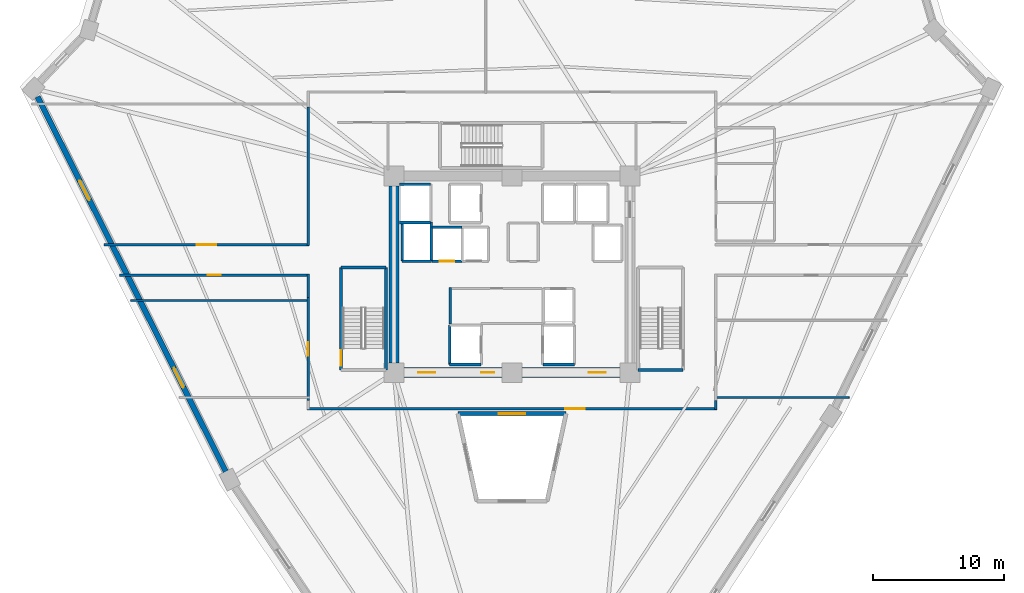
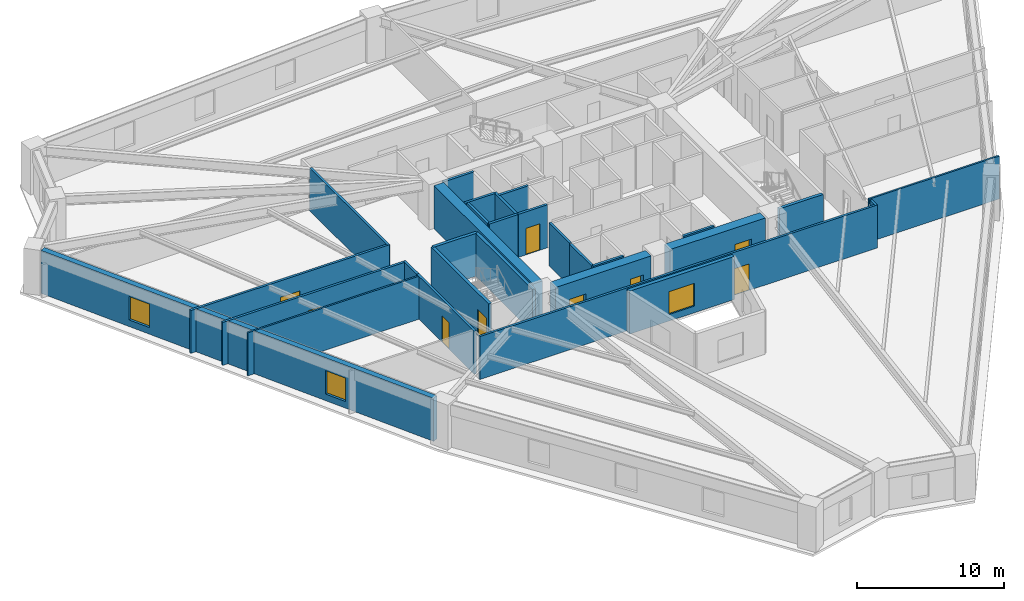
# One storey, part 3 of 7: 29 walls, 9 doors, 3 windows, 12 openings.
"""IFC4 building model written with IfcOpenShell, lengths in metres."""

from ifc_helpers import new_model, si_unit, direction, frame, frame_2d, origin, place, context, subcontext, project, spatial, rectangle, extrude, source, transform, mapped, material, layer, layer_set, type_object, element, fill, save


model = new_model("IFC4")

# Units and contexts
model_context = context("Model", 3, precision=1e-05, world=origin(), true_north=direction((0.0, 1.0)))
body_context = subcontext(model_context, "Body", "Model", "MODEL_VIEW")
ifc_project = project(units=[si_unit("LENGTHUNIT", "METRE"), si_unit("AREAUNIT", "SQUARE_METRE"), si_unit("VOLUMEUNIT", "CUBIC_METRE"), si_unit("PLANEANGLEUNIT", "RADIAN"), si_unit("MASSUNIT", "GRAM", prefix="KILO")], contexts=[model_context])

# Site, building, storey
site_placement = place(None, origin())
site = spatial("IfcSite", under=ifc_project, at=site_placement, CompositionType="ELEMENT")
building_placement = place(site_placement, origin())
building = spatial("IfcBuilding", under=site, at=building_placement, Name="Liaohun Quay Tower", CompositionType="ELEMENT")
storey_placement = place(building_placement, frame((0.0, 0.0, 113.25)))
storey = spatial("IfcBuildingStorey", under=building, at=storey_placement, Name="L29", CompositionType="ELEMENT", Elevation=113.25)

# Wall, opening, window
ifc_material_1 = material(Name="Concrete C50", Category="concrete")
ifc_layer_1 = layer(ifc_material_1, 0.300048828125, Name="Concrete C50", Category="concrete")
ifc_layer_set_1 = layer_set([ifc_layer_1], Name="Concrete C50")
wall_type_1 = type_object("IfcWallType", Name="WAL-ATR-300", PredefinedType="SOLIDWALL", material=ifc_layer_set_1)
wall_1_placement = place(storey_placement, frame((55.875, 43.3701171875, 0.0), z_axis=(0.0, 0.0, 1.0), x_axis=(1.0, 0.0, 0.0)))
wall_1 = element("IfcWall", 1, at=wall_1_placement, inside=storey, type_object=wall_type_1, Name="L29 Atrium Fire Compartment Wall 2", PredefinedType="SOLIDWALL", context=body_context, shape_type="SweptSolid", body=[
    extrude(rectangle(XDim=8.25, YDim=0.300048828125, at=frame_2d((4.125, 0.0))), origin(), (0.0, 0.0, 1.0), 3.570068359375),
])
shared_shape_1 = source(origin(), body_context, "Body", "SweptSolid", [
    extrude(rectangle(XDim=2.0, YDim=1.89990234375, at=frame_2d((1.0, 0.949951171875))), frame((0.0, 0.159912109375, 0.0), z_axis=(0.0, -1.0, 0.0), x_axis=(1.0, 0.0, 0.0)), (0.0, 0.0, 1.0), 0.320068359375),
])
opening_1_placement = place(wall_1_placement, frame((3.125, 0.0, 0.550048828125)))
opening_1 = element("IfcOpeningElement", 2, at=opening_1_placement, cuts=wall_1, Name="Opening W07", PredefinedType="OPENING", context=body_context, shape_type="MappedRepresentation", body=[
    mapped(shared_shape_1, transform((0.0, 0.0, 0.0), x_axis=(1.0, 0.0, 0.0), y_axis=(0.0, 1.0, 0.0), z_axis=(0.0, 0.0, 1.0), scale=1.0)),
])
ifc_material_2 = material(Name="Class A 180-min fire-resistant insulated glazing", Category="glass")
window_type_1 = type_object("IfcWindowType", Name="WIN-ATR-FIR", PartitioningType="DOUBLE_PANEL_VERTICAL", PredefinedType="WINDOW", material=ifc_material_2)
shared_shape_2 = source(origin(), body_context, "Body", "SweptSolid", [
    extrude(rectangle(XDim=2.0, YDim=1.89990234375, at=frame_2d((1.0, 0.949951171875))), frame((0.0, 0.030029296875, 0.0), z_axis=(0.0, -1.0, 0.0), x_axis=(1.0, 0.0, 0.0)), (0.0, 0.0, 1.0), 0.06005859375),
])
window_1_placement = place(opening_1_placement, origin())
window_1 = element("IfcWindow", 3, at=window_1_placement, inside=storey, type_object=window_type_1, Name="L29 Atrium Fire-Resistant Glazing W07-2", OverallHeight=1.89990234375, OverallWidth=2.0, PartitioningType="DOUBLE_PANEL_VERTICAL", PredefinedType="WINDOW", context=body_context, shape_type="MappedRepresentation", body=[
    mapped(shared_shape_2, transform((0.0, 0.0, 0.0), x_axis=(1.0, 0.0, 0.0), y_axis=(0.0, 1.0, 0.0), z_axis=(0.0, 0.0, 1.0), scale=1.0)),
])
fill(opening_1, window_1)

# Wall, opening, door
ifc_material_3 = material(Name="Concrete C60", Category="concrete")
ifc_layer_2 = layer(ifc_material_3, 0.75, Name="Concrete C60", Category="concrete")
ifc_layer_set_2 = layer_set([ifc_layer_2], Name="Concrete C60")
wall_type_2 = type_object("IfcWallType", Name="WAL-COR-Z2", PredefinedType="SHEAR", material=ifc_layer_set_2)
wall_2_placement = place(storey_placement, frame((68.25, 46.5, 0.0), z_axis=(0.0, 0.0, 1.0), x_axis=(-1.0, 0.0, 0.0)))
wall_2 = element("IfcWall", 4, at=wall_2_placement, inside=storey, type_object=wall_type_2, Name="L29 Central Core Shear Wall S-E", PredefinedType="SHEAR", context=body_context, shape_type="SweptSolid", body=[
    extrude(rectangle(XDim=7.5, YDim=0.75, at=frame_2d((3.75, 0.0))), origin(), (0.0, 0.0, 1.0), 3.570068359375),
])
shared_shape_3 = source(origin(), body_context, "Body", "SweptSolid", [
    extrude(rectangle(XDim=1.300048828125, YDim=2.199951171875, at=frame_2d((0.64990234375, 1.10009765625))), frame((0.0, 0.385009765625, 0.0), z_axis=(0.0, -1.0, 0.0), x_axis=(1.0, 0.0, 0.0)), (0.0, 0.0, 1.0), 0.77001953125),
])
opening_2_placement = place(wall_2_placement, frame((1.10009765625, 0.0, 0.0)))
opening_2 = element("IfcOpeningElement", 5, at=opening_2_placement, cuts=wall_2, Name="Opening FD1", PredefinedType="OPENING", context=body_context, shape_type="MappedRepresentation", body=[
    mapped(shared_shape_3, transform((0.0, 0.0, 0.0), x_axis=(1.0, 0.0, 0.0), y_axis=(0.0, 1.0, 0.0), z_axis=(0.0, 0.0, 1.0), scale=1.0)),
])
ifc_material_4 = material(Name="Galvanised steel smokeproof fire door", Category="steel")
door_type_1 = type_object("IfcDoorType", Name="DOR-FFL-1300", OperationType="NOTDEFINED", PredefinedType="DOOR", material=ifc_material_4)
shared_shape_4 = source(origin(), body_context, "Body", "SweptSolid", [
    extrude(rectangle(XDim=1.300048828125, YDim=2.199951171875, at=frame_2d((0.64990234375, 1.10009765625))), frame((0.0, 0.02490234375, 0.0), z_axis=(0.0, -1.0, 0.0), x_axis=(1.0, 0.0, 0.0)), (0.0, 0.0, 1.0), 0.050048828125),
])
door_1_placement = place(opening_2_placement, origin())
door_1 = element("IfcDoor", 6, at=door_1_placement, inside=storey, type_object=door_type_1, Name="L29 East Core Lift Lobby Smokeproof Door", OperationType="SINGLE_SWING_LEFT", OverallHeight=2.199951171875, OverallWidth=1.300048828125, PredefinedType="DOOR", context=body_context, shape_type="MappedRepresentation", body=[
    mapped(shared_shape_4, transform((0.0, 0.0, 0.0), x_axis=(1.0, 0.0, 0.0), y_axis=(0.0, 1.0, 0.0), z_axis=(0.0, 0.0, 1.0), scale=1.0)),
])
fill(opening_2, door_1)

# Wall, openings, doors
wall_3_placement = place(storey_placement, frame((59.25, 46.5, 0.0), z_axis=(0.0, 0.0, 1.0), x_axis=(-1.0, 0.0, 0.0)))
wall_3 = element("IfcWall", 7, at=wall_3_placement, inside=storey, type_object=wall_type_2, Name="L29 Central Core Shear Wall S-W", PredefinedType="SHEAR", context=body_context, shape_type="SweptSolid", body=[
    extrude(rectangle(XDim=7.5, YDim=0.75, at=frame_2d((3.75, 0.0))), origin(), (0.0, 0.0, 1.0), 3.570068359375),
])
opening_3_placement = place(wall_3_placement, frame((5.10009765625, 0.0, 0.0)))
opening_3 = element("IfcOpeningElement", 8, at=opening_3_placement, cuts=wall_3, Name="Opening FD1", PredefinedType="OPENING", context=body_context, shape_type="MappedRepresentation", body=[
    mapped(shared_shape_3, transform((0.0, 0.0, 0.0), x_axis=(1.0, 0.0, 0.0), y_axis=(0.0, 1.0, 0.0), z_axis=(0.0, 0.0, 1.0), scale=1.0)),
])
shared_shape_5 = source(origin(), body_context, "Body", "SweptSolid", [
    extrude(rectangle(XDim=1.0, YDim=2.199951171875, at=frame_2d((0.5, 1.10009765625))), frame((0.0, 0.385009765625, 0.0), z_axis=(0.0, -1.0, 0.0), x_axis=(1.0, 0.0, 0.0)), (0.0, 0.0, 1.0), 0.77001953125),
])
opening_4_placement = place(wall_3_placement, frame((0.60009765625, 0.0, 0.0)))
opening_4 = element("IfcOpeningElement", 9, at=opening_4_placement, cuts=wall_3, Name="Opening FD2", PredefinedType="OPENING", context=body_context, shape_type="MappedRepresentation", body=[
    mapped(shared_shape_5, transform((0.0, 0.0, 0.0), x_axis=(1.0, 0.0, 0.0), y_axis=(0.0, 1.0, 0.0), z_axis=(0.0, 0.0, 1.0), scale=1.0)),
])
door_2_placement = place(opening_3_placement, origin())
door_2 = element("IfcDoor", 10, at=door_2_placement, inside=storey, type_object=door_type_1, Name="L29 West Core Lift Lobby Smokeproof Door", OperationType="SINGLE_SWING_RIGHT", OverallHeight=2.199951171875, OverallWidth=1.300048828125, PredefinedType="DOOR", context=body_context, shape_type="MappedRepresentation", body=[
    mapped(shared_shape_4, transform((0.0, 0.0, 0.0), x_axis=(1.0, 0.0, 0.0), y_axis=(0.0, 1.0, 0.0), z_axis=(0.0, 0.0, 1.0), scale=1.0)),
])
fill(opening_3, door_2)
ifc_material_5 = material(Name="Galvanised steel smokeproof lobby fire door", Category="steel")
door_type_2 = type_object("IfcDoorType", Name="DOR-FFL-1000", OperationType="NOTDEFINED", PredefinedType="DOOR", material=ifc_material_5)
shared_shape_6 = source(origin(), body_context, "Body", "SweptSolid", [
    extrude(rectangle(XDim=1.0, YDim=2.199951171875, at=frame_2d((0.5, 1.10009765625))), frame((0.0, 0.02490234375, 0.0), z_axis=(0.0, -1.0, 0.0), x_axis=(1.0, 0.0, 0.0)), (0.0, 0.0, 1.0), 0.050048828125),
])
door_3_placement = place(opening_4_placement, origin())
door_3 = element("IfcDoor", 11, at=door_3_placement, inside=storey, type_object=door_type_2, Name="L29 South Firefighting Lobby Smokeproof Door", OperationType="SINGLE_SWING_LEFT", OverallHeight=2.199951171875, OverallWidth=1.0, PredefinedType="DOOR", context=body_context, shape_type="MappedRepresentation", body=[
    mapped(shared_shape_6, transform((0.0, 0.0, 0.0), x_axis=(1.0, 0.0, 0.0), y_axis=(0.0, 1.0, 0.0), z_axis=(0.0, 0.0, 1.0), scale=1.0)),
])
fill(opening_4, door_3)

# Wall
wall_4_placement = place(storey_placement, frame((51.0, 47.25, 0.0), z_axis=(0.0, 0.0, 1.0), x_axis=(0.0, 1.0, 0.0)))
element("IfcWall", 12, at=wall_4_placement, inside=storey, type_object=wall_type_2, Name="L29 Central Core Shear Wall W", PredefinedType="SHEAR", context=body_context, shape_type="SweptSolid", body=[
    extrude(rectangle(XDim=13.5, YDim=0.75, at=frame_2d((6.75, 0.0))), origin(), (0.0, 0.0, 1.0), 3.570068359375),
])

# Wall, openings, windows
ifc_material_6 = material(Name="Precast concrete C50 insulated sandwich", Category="concrete")
ifc_layer_3 = layer(ifc_material_6, 0.419921875, Name="Precast concrete C50 insulated sandwich", Category="concrete")
ifc_layer_set_3 = layer_set([ifc_layer_3], Name="Precast concrete C50 insulated sandwich")
wall_type_3 = type_object("IfcWallType", Name="WAL-EXT-Z12", PredefinedType="SOLIDWALL", material=ifc_layer_set_3)
wall_5_placement = place(storey_placement, frame((23.797119140625, 67.552978515625, 0.0), z_axis=(0.0, 0.0, 1.0), x_axis=(0.448851439989, -0.893606392558, 0.0)))
wall_5 = element("IfcWall", 13, at=wall_5_placement, inside=storey, type_object=wall_type_3, Name="L29 Brutalist Precast Pier Wall 10", PredefinedType="SOLIDWALL", context=body_context, shape_type="SweptSolid", body=[
    extrude(rectangle(XDim=32.00390625, YDim=0.419921875, at=frame_2d((16.001953125, 0.0))), origin(), (0.0, 0.0, 1.0), 3.570068359375),
])
shared_shape_7 = source(origin(), body_context, "Body", "SweptSolid", [
    extrude(rectangle(XDim=1.64990234375, YDim=1.949951171875, at=frame_2d((0.824951171875, 0.97509765625))), frame((0.0, 0.219970703125, 0.0), z_axis=(0.0, -1.0, 0.0), x_axis=(1.0, 0.0, 0.0)), (0.0, 0.0, 1.0), 0.43994140625),
])
opening_5_placement = place(wall_5_placement, frame((7.176025390625, 0.0, 0.550048828125)))
opening_5 = element("IfcOpeningElement", 14, at=opening_5_placement, cuts=wall_5, Name="Opening W02", PredefinedType="OPENING", context=body_context, shape_type="MappedRepresentation", body=[
    mapped(shared_shape_7, transform((0.0, 0.0, 0.0), x_axis=(1.0, 0.0, 0.0), y_axis=(0.0, 1.0, 0.0), z_axis=(0.0, 0.0, 1.0), scale=1.0)),
])
opening_6_placement = place(wall_5_placement, frame((23.177978515625, 0.0, 0.550048828125)))
opening_6 = element("IfcOpeningElement", 15, at=opening_6_placement, cuts=wall_5, Name="Opening W02", PredefinedType="OPENING", context=body_context, shape_type="MappedRepresentation", body=[
    mapped(shared_shape_7, transform((0.0, 0.0, 0.0), x_axis=(1.0, 0.0, 0.0), y_axis=(0.0, 1.0, 0.0), z_axis=(0.0, 0.0, 1.0), scale=1.0)),
])
ifc_material_7 = material(Name="Triple Low-E argon glazing in thermally broken aluminium", Category="aluminium")
window_type_2 = type_object("IfcWindowType", Name="WIN-PUN-Z2", PartitioningType="DOUBLE_PANEL_VERTICAL", PredefinedType="WINDOW", material=ifc_material_7)
shared_shape_8 = source(origin(), body_context, "Body", "SweptSolid", [
    extrude(rectangle(XDim=1.64990234375, YDim=1.949951171875, at=frame_2d((0.824951171875, 0.97509765625))), frame((0.0, 0.030029296875, 0.0), z_axis=(0.0, -1.0, 0.0), x_axis=(1.0, 0.0, 0.0)), (0.0, 0.0, 1.0), 0.06005859375),
])
window_2_placement = place(opening_5_placement, origin())
window_2 = element("IfcWindow", 16, at=window_2_placement, inside=storey, type_object=window_type_2, Name="L29 Recessed Cold-Climate Punched Window 10-1", OverallHeight=1.949951171875, OverallWidth=1.64990234375, PartitioningType="DOUBLE_PANEL_VERTICAL", PredefinedType="WINDOW", context=body_context, shape_type="MappedRepresentation", body=[
    mapped(shared_shape_8, transform((0.0, 0.0, 0.0), x_axis=(1.0, 0.0, 0.0), y_axis=(0.0, 1.0, 0.0), z_axis=(0.0, 0.0, 1.0), scale=1.0)),
])
fill(opening_5, window_2)
window_3_placement = place(opening_6_placement, origin())
window_3 = element("IfcWindow", 17, at=window_3_placement, inside=storey, type_object=window_type_2, Name="L29 Recessed Cold-Climate Punched Window 10-3", OverallHeight=1.949951171875, OverallWidth=1.64990234375, PartitioningType="DOUBLE_PANEL_VERTICAL", PredefinedType="WINDOW", context=body_context, shape_type="MappedRepresentation", body=[
    mapped(shared_shape_8, transform((0.0, 0.0, 0.0), x_axis=(1.0, 0.0, 0.0), y_axis=(0.0, 1.0, 0.0), z_axis=(0.0, 0.0, 1.0), scale=1.0)),
])
fill(opening_6, window_3)

# Wall, opening, door
ifc_material_8 = material(Name="Autoclaved aerated concrete blockwork", Category="masonry")
ifc_layer_4 = layer(ifc_material_8, 0.179931640625, Name="Autoclaved aerated concrete blockwork", Category="masonry")
ifc_layer_set_4 = layer_set([ifc_layer_4], Name="Autoclaved aerated concrete blockwork")
wall_type_4 = type_object("IfcWallType", Name="WAL-PRT-COR", PredefinedType="PARTITIONING", material=ifc_layer_set_4)
wall_6_placement = place(storey_placement, frame((28.8740234375, 56.260009765625, 0.0), z_axis=(0.0, 0.0, 1.0), x_axis=(1.0, 0.0, 0.0)))
wall_6 = element("IfcWall", 18, at=wall_6_placement, inside=storey, type_object=wall_type_4, Name="L29 Interior Partition Wall 013", PredefinedType="PARTITIONING", context=body_context, shape_type="SweptSolid", body=[
    extrude(rectangle(XDim=15.635986328125, YDim=0.179931640625, at=frame_2d((7.81787109375, 0.0))), origin(), (0.0, 0.0, 1.0), 3.570068359375),
])
shared_shape_9 = source(origin(), body_context, "Body", "SweptSolid", [
    extrude(rectangle(XDim=1.5, YDim=2.199951171875, at=frame_2d((0.75, 1.10009765625))), frame((0.0, 0.099853515625, 0.0), z_axis=(0.0, -1.0, 0.0), x_axis=(1.0, 0.0, 0.0)), (0.0, 0.0, 1.0), 0.199951171875),
])
opening_7_placement = place(wall_6_placement, frame((7.068115234375, 0.0, 0.0)))
opening_7 = element("IfcOpeningElement", 19, at=opening_7_placement, cuts=wall_6, Name="Opening OD2", PredefinedType="OPENING", context=body_context, shape_type="MappedRepresentation", body=[
    mapped(shared_shape_9, transform((0.0, 0.0, 0.0), x_axis=(1.0, 0.0, 0.0), y_axis=(0.0, 1.0, 0.0), z_axis=(0.0, 0.0, 1.0), scale=1.0)),
])
ifc_material_9 = material(Name="Acoustic oak veneer double door")
door_type_3 = type_object("IfcDoorType", Name="DOR-OFF-1500", OperationType="DOUBLE_DOOR_SINGLE_SWING", PredefinedType="DOOR", material=ifc_material_9)
shared_shape_10 = source(origin(), body_context, "Body", "SweptSolid", [
    extrude(rectangle(XDim=1.5, YDim=2.199951171875, at=frame_2d((0.75, 1.10009765625))), frame((0.0, 0.02490234375, 0.0), z_axis=(0.0, -1.0, 0.0), x_axis=(1.0, 0.0, 0.0)), (0.0, 0.0, 1.0), 0.050048828125),
])
door_4_placement = place(opening_7_placement, origin())
door_4 = element("IfcDoor", 20, at=door_4_placement, inside=storey, type_object=door_type_3, Name="L29 Project Collaboration Studio 04 Door", OperationType="DOUBLE_DOOR_SINGLE_SWING", OverallHeight=2.199951171875, OverallWidth=1.5, PredefinedType="DOOR", context=body_context, shape_type="MappedRepresentation", body=[
    mapped(shared_shape_10, transform((0.0, 0.0, 0.0), x_axis=(1.0, 0.0, 0.0), y_axis=(0.0, 1.0, 0.0), z_axis=(0.0, 0.0, 1.0), scale=1.0)),
])
fill(opening_7, door_4)

wall_7_placement = place(storey_placement, frame((44.510009765625, 53.93994140625, 0.0), z_axis=(0.0, 0.0, 1.0), x_axis=(-1.0, 0.0, 0.0)))
wall_7 = element("IfcWall", 21, at=wall_7_placement, inside=storey, type_object=wall_type_4, Name="L29 Interior Partition Wall 014", PredefinedType="PARTITIONING", context=body_context, shape_type="SweptSolid", body=[
    extrude(rectangle(XDim=14.470947265625, YDim=0.179931640625, at=frame_2d((7.2353515625, 0.0))), origin(), (0.0, 0.0, 1.0), 3.570068359375),
])
shared_shape_11 = source(origin(), body_context, "Body", "SweptSolid", [
    extrude(rectangle(XDim=1.0, YDim=2.199951171875, at=frame_2d((0.5, 1.10009765625))), frame((0.0, 0.099853515625, 0.0), z_axis=(0.0, -1.0, 0.0), x_axis=(1.0, 0.0, 0.0)), (0.0, 0.0, 1.0), 0.199951171875),
])
opening_8_placement = place(wall_7_placement, frame((6.735107421875, 0.0, 0.0)))
opening_8 = element("IfcOpeningElement", 22, at=opening_8_placement, cuts=wall_7, Name="Opening OD1", PredefinedType="OPENING", context=body_context, shape_type="MappedRepresentation", body=[
    mapped(shared_shape_11, transform((0.0, 0.0, 0.0), x_axis=(1.0, 0.0, 0.0), y_axis=(0.0, 1.0, 0.0), z_axis=(0.0, 0.0, 1.0), scale=1.0)),
])
ifc_material_10 = material(Name="Solid-core oak veneer timber leaf in steel frame", Category="steel")
door_type_4 = type_object("IfcDoorType", Name="DOR-OFF-1000", OperationType="NOTDEFINED", PredefinedType="DOOR", material=ifc_material_10)
door_5_placement = place(opening_8_placement, origin())
door_5 = element("IfcDoor", 23, at=door_5_placement, inside=storey, type_object=door_type_4, Name="L29 Staff Daycare Nursery 05 Door", OperationType="SINGLE_SWING_LEFT", OverallHeight=2.199951171875, OverallWidth=1.0, PredefinedType="DOOR", context=body_context, shape_type="MappedRepresentation", body=[
    mapped(shared_shape_6, transform((0.0, 0.0, 0.0), x_axis=(1.0, 0.0, 0.0), y_axis=(0.0, 1.0, 0.0), z_axis=(0.0, 0.0, 1.0), scale=1.0)),
])
fill(opening_8, door_5)

wall_8_placement = place(storey_placement, frame((44.43994140625, 44.385009765625, 0.0), z_axis=(0.0, 0.0, 1.0), x_axis=(0.0, 1.0, 0.0)))
wall_8 = element("IfcWall", 24, at=wall_8_placement, inside=storey, type_object=wall_type_4, Name="L29 Interior Partition Wall 015", PredefinedType="PARTITIONING", context=body_context, shape_type="SweptSolid", body=[
    extrude(rectangle(XDim=7.830078125, YDim=0.179931640625, at=frame_2d((3.9150390625, 0.0))), origin(), (0.0, 0.0, 1.0), 3.570068359375),
])
opening_9_placement = place(wall_8_placement, frame((3.4150390625, 0.0, 0.0)))
opening_9 = element("IfcOpeningElement", 25, at=opening_9_placement, cuts=wall_8, Name="Opening OD1", PredefinedType="OPENING", context=body_context, shape_type="MappedRepresentation", body=[
    mapped(shared_shape_11, transform((0.0, 0.0, 0.0), x_axis=(1.0, 0.0, 0.0), y_axis=(0.0, 1.0, 0.0), z_axis=(0.0, 0.0, 1.0), scale=1.0)),
])
door_6_placement = place(opening_9_placement, origin())
door_6 = element("IfcDoor", 26, at=door_6_placement, inside=storey, type_object=door_type_4, Name="L29 Staff Tea Kitchen and Pantry 06 Door", OperationType="SINGLE_SWING_RIGHT", OverallHeight=2.199951171875, OverallWidth=1.0, PredefinedType="DOOR", context=body_context, shape_type="MappedRepresentation", body=[
    mapped(shared_shape_6, transform((0.0, 0.0, 0.0), x_axis=(1.0, 0.0, 0.0), y_axis=(0.0, 1.0, 0.0), z_axis=(0.0, 0.0, 1.0), scale=1.0)),
])
fill(opening_9, door_6)

wall_9_placement = place(storey_placement, frame((75.6298828125, 43.739990234375, 0.0), z_axis=(0.0, 0.0, 1.0), x_axis=(-1.0, 0.0, 0.0)))
wall_9 = element("IfcWall", 27, at=wall_9_placement, inside=storey, type_object=wall_type_4, Name="L29 Interior Partition Wall 016", PredefinedType="PARTITIONING", context=body_context, shape_type="SweptSolid", body=[
    extrude(rectangle(XDim=31.259765625, YDim=0.179931640625, at=frame_2d((15.6298828125, 0.0))), origin(), (0.0, 0.0, 1.0), 3.570068359375),
])
opening_10_placement = place(wall_9_placement, frame((10.080078125, 0.0, 0.0)))
opening_10 = element("IfcOpeningElement", 28, at=opening_10_placement, cuts=wall_9, Name="Opening OD2", PredefinedType="OPENING", context=body_context, shape_type="MappedRepresentation", body=[
    mapped(shared_shape_9, transform((0.0, 0.0, 0.0), x_axis=(1.0, 0.0, 0.0), y_axis=(0.0, 1.0, 0.0), z_axis=(0.0, 0.0, 1.0), scale=1.0)),
])
door_7_placement = place(opening_10_placement, origin())
door_7 = element("IfcDoor", 29, at=door_7_placement, inside=storey, type_object=door_type_3, Name="L29 Technical Reference Library 07 Door", OperationType="DOUBLE_DOOR_SINGLE_SWING", OverallHeight=2.199951171875, OverallWidth=1.5, PredefinedType="DOOR", context=body_context, shape_type="MappedRepresentation", body=[
    mapped(shared_shape_10, transform((0.0, 0.0, 0.0), x_axis=(1.0, 0.0, 0.0), y_axis=(0.0, 1.0, 0.0), z_axis=(0.0, 0.0, 1.0), scale=1.0)),
])
fill(opening_10, door_7)

# Walls
wall_10_placement = place(storey_placement, frame((44.43994140625, 56.18994140625, 0.0), z_axis=(0.0, 0.0, 1.0), x_axis=(0.0, 1.0, 0.0)))
element("IfcWall", 30, at=wall_10_placement, inside=storey, type_object=wall_type_4, Name="L29 Interior Partition Wall 032", PredefinedType="PARTITIONING", context=body_context, shape_type="SweptSolid", body=[
    extrude(rectangle(XDim=10.594970703125, YDim=0.179931640625, at=frame_2d((5.29736328125, 0.0))), origin(), (0.0, 0.0, 1.0), 3.570068359375),
])
wall_11_placement = place(storey_placement, frame((44.43994140625, 52.215087890625, 0.0), z_axis=(0.0, 0.0, 1.0), x_axis=(0.0, 1.0, 0.0)))
element("IfcWall", 31, at=wall_11_placement, inside=storey, type_object=wall_type_4, Name="L29 Interior Partition Wall 033", PredefinedType="PARTITIONING", context=body_context, shape_type="SweptSolid", body=[
    extrude(rectangle(XDim=1.794921875, YDim=0.179931640625, at=frame_2d((0.8974609375, 0.0))), origin(), (0.0, 0.0, 1.0), 3.570068359375),
])
wall_12_placement = place(storey_placement, frame((75.56005859375, 44.385009765625, 0.0), z_axis=(0.0, 0.0, 1.0), x_axis=(0.0, -1.0, 0.0)))
element("IfcWall", 32, at=wall_12_placement, inside=storey, type_object=wall_type_4, Name="L29 Interior Partition Wall 035", PredefinedType="PARTITIONING", context=body_context, shape_type="SweptSolid", body=[
    extrude(rectangle(XDim=0.715087890625, YDim=0.179931640625, at=frame_2d((0.357421875, 0.0))), origin(), (0.0, 0.0, 1.0), 3.570068359375),
])
wall_13_placement = place(storey_placement, frame((55.300048828125, 50.219970703125, 0.0), z_axis=(0.0, 0.0, 1.0), x_axis=(0.0, 1.0, 0.0)))
element("IfcWall", 33, at=wall_13_placement, inside=storey, type_object=wall_type_4, Name="L29 Interior Partition Wall 044", PredefinedType="PARTITIONING", context=body_context, shape_type="SweptSolid", body=[
    extrude(rectangle(XDim=2.7900390625, YDim=0.179931640625, at=frame_2d((1.39501953125, 0.0))), origin(), (0.0, 0.0, 1.0), 3.570068359375),
])
ifc_material_11 = material(Name="Gypsum board on twin steel studs", Category="steel")
ifc_layer_5 = layer(ifc_material_11, 0.139892578125, Name="Gypsum board on twin steel studs", Category="steel")
ifc_layer_set_5 = layer_set([ifc_layer_5], Name="Gypsum board on twin steel studs")
wall_type_5 = type_object("IfcWallType", Name="WAL-PRT-OFF", PredefinedType="PARTITIONING", material=ifc_layer_set_5)
wall_14_placement = place(storey_placement, frame((44.5400390625, 52.0, 0.0), z_axis=(0.0, 0.0, 1.0), x_axis=(-1.0, 0.0, 0.0)))
element("IfcWall", 34, at=wall_14_placement, inside=storey, type_object=wall_type_5, Name="L29 Interior Partition Wall 038", PredefinedType="PARTITIONING", context=body_context, shape_type="SweptSolid", body=[
    extrude(rectangle(XDim=13.635986328125, YDim=0.139892578125, at=frame_2d((6.81787109375, 0.0))), origin(), (0.0, 0.0, 1.0), 3.570068359375),
])
wall_15_placement = place(storey_placement, frame((75.4599609375, 44.60009765625, 0.0), z_axis=(0.0, 0.0, 1.0), x_axis=(1.0, 0.0, 0.0)))
element("IfcWall", 35, at=wall_15_placement, inside=storey, type_object=wall_type_5, Name="L29 Interior Partition Wall 040", PredefinedType="PARTITIONING", context=body_context, shape_type="SweptSolid", body=[
    extrude(rectangle(XDim=10.259033203125, YDim=0.139892578125, at=frame_2d((5.12939453125, 0.0))), origin(), (0.0, 0.0, 1.0), 3.570068359375),
])
ifc_layer_6 = layer(ifc_material_1, 0.239990234375, Name="Concrete C50", Category="concrete")
ifc_layer_set_6 = layer_set([ifc_layer_6], Name="Concrete C50")
wall_type_6 = type_object("IfcWallType", Name="WAL-SHF-200", PredefinedType="SOLIDWALL", material=ifc_layer_set_6)
wall_16_placement = place(storey_placement, frame((50.3798828125, 46.699951171875, 0.0), z_axis=(0.0, 0.0, 1.0), x_axis=(0.0, 1.0, 0.0)))
element("IfcWall", 36, at=wall_16_placement, inside=storey, type_object=wall_type_6, Name="L29 Stairwell ST-1 Structural Core Wall E", PredefinedType="SOLIDWALL", context=body_context, shape_type="SweptSolid", body=[
    extrude(rectangle(XDim=7.820068359375, YDim=0.239990234375, at=frame_2d((3.91015625, 0.0))), origin(), (0.0, 0.0, 1.0), 3.570068359375),
])
wall_17_placement = place(storey_placement, frame((50.3798828125, 54.52001953125, 0.0), z_axis=(0.0, 0.0, 1.0), x_axis=(-1.0, 0.0, 0.0)))
element("IfcWall", 37, at=wall_17_placement, inside=storey, type_object=wall_type_6, Name="L29 Stairwell ST-1 Structural Core Wall N", PredefinedType="SOLIDWALL", context=body_context, shape_type="SweptSolid", body=[
    extrude(rectangle(XDim=3.43994140625, YDim=0.239990234375, at=frame_2d((1.719970703125, 0.0))), origin(), (0.0, 0.0, 1.0), 3.570068359375),
])

# Wall, opening, door
wall_18_placement = place(storey_placement, frame((46.93994140625, 54.52001953125, 0.0), z_axis=(0.0, 0.0, 1.0), x_axis=(0.0, -1.0, 0.0)))
wall_18 = element("IfcWall", 38, at=wall_18_placement, inside=storey, type_object=wall_type_6, Name="L29 Stairwell ST-1 Structural Core Wall W", PredefinedType="SOLIDWALL", context=body_context, shape_type="SweptSolid", body=[
    extrude(rectangle(XDim=7.820068359375, YDim=0.239990234375, at=frame_2d((3.91015625, 0.0))), origin(), (0.0, 0.0, 1.0), 3.570068359375),
])
shared_shape_12 = source(origin(), body_context, "Body", "SweptSolid", [
    extrude(rectangle(XDim=1.199951171875, YDim=2.199951171875, at=frame_2d((0.60009765625, 1.10009765625))), frame((0.0, 0.1298828125, 0.0), z_axis=(0.0, -1.0, 0.0), x_axis=(1.0, 0.0, 0.0)), (0.0, 0.0, 1.0), 0.260009765625),
])
opening_11_placement = place(wall_18_placement, frame((6.300048828125, 0.0, 0.0)))
opening_11 = element("IfcOpeningElement", 39, at=opening_11_placement, cuts=wall_18, Name="Opening SD1", PredefinedType="OPENING", context=body_context, shape_type="MappedRepresentation", body=[
    mapped(shared_shape_12, transform((0.0, 0.0, 0.0), x_axis=(1.0, 0.0, 0.0), y_axis=(0.0, 1.0, 0.0), z_axis=(0.0, 0.0, 1.0), scale=1.0)),
])
ifc_material_12 = material(Name="Galvanised steel fire door", Category="steel")
door_type_5 = type_object("IfcDoorType", Name="DOR-STR-1200", OperationType="NOTDEFINED", PredefinedType="DOOR", material=ifc_material_12)
shared_shape_13 = source(origin(), body_context, "Body", "SweptSolid", [
    extrude(rectangle(XDim=1.199951171875, YDim=2.199951171875, at=frame_2d((0.60009765625, 1.10009765625))), frame((0.0, 0.02490234375, 0.0), z_axis=(0.0, -1.0, 0.0), x_axis=(1.0, 0.0, 0.0)), (0.0, 0.0, 1.0), 0.050048828125),
])
door_8_placement = place(opening_11_placement, origin())
door_8 = element("IfcDoor", 40, at=door_8_placement, inside=storey, type_object=door_type_5, Name="L29 Protected Stair ST-1 Fire Door", OperationType="SINGLE_SWING_LEFT", OverallHeight=2.199951171875, OverallWidth=1.199951171875, PredefinedType="DOOR", context=body_context, shape_type="MappedRepresentation", body=[
    mapped(shared_shape_13, transform((0.0, 0.0, 0.0), x_axis=(1.0, 0.0, 0.0), y_axis=(0.0, 1.0, 0.0), z_axis=(0.0, 0.0, 1.0), scale=1.0)),
])
fill(opening_11, door_8)

# Walls
wall_19_placement = place(storey_placement, frame((69.6201171875, 46.699951171875, 0.0), z_axis=(0.0, 0.0, 1.0), x_axis=(1.0, 0.0, 0.0)))
element("IfcWall", 41, at=wall_19_placement, inside=storey, type_object=wall_type_6, Name="L29 Stairwell ST-2 Structural Core Wall S", PredefinedType="SOLIDWALL", context=body_context, shape_type="SweptSolid", body=[
    extrude(rectangle(XDim=3.43994140625, YDim=0.239990234375, at=frame_2d((1.719970703125, 0.0))), origin(), (0.0, 0.0, 1.0), 3.570068359375),
])
wall_20_placement = place(storey_placement, frame((55.25, 47.1201171875, 0.0), z_axis=(0.0, 0.0, 1.0), x_axis=(1.0, 0.0, 0.0)))
element("IfcWall", 42, at=wall_20_placement, inside=storey, type_object=wall_type_6, Name="L29 Lift FF-01 Hoistway Wall S", PredefinedType="SOLIDWALL", context=body_context, shape_type="SweptSolid", body=[
    extrude(rectangle(XDim=2.39990234375, YDim=0.199951171875, at=frame_2d((1.199951171875, 0.0))), origin(), (0.0, 0.0, 1.0), 3.570068359375),
])
wall_21_placement = place(storey_placement, frame((55.25, 50.1201171875, 0.0), z_axis=(0.0, 0.0, 1.0), x_axis=(0.0, -1.0, 0.0)))
element("IfcWall", 43, at=wall_21_placement, inside=storey, type_object=wall_type_6, Name="L29 Lift FF-01 Hoistway Wall W", PredefinedType="SOLIDWALL", context=body_context, shape_type="SweptSolid", body=[
    extrude(rectangle(XDim=3.0, YDim=0.199951171875, at=frame_2d((1.5, 0.0))), origin(), (0.0, 0.0, 1.0), 3.570068359375),
])
wall_22_placement = place(storey_placement, frame((62.35009765625, 47.1201171875, 0.0), z_axis=(0.0, 0.0, 1.0), x_axis=(1.0, 0.0, 0.0)))
element("IfcWall", 44, at=wall_22_placement, inside=storey, type_object=wall_type_6, Name="L29 Lift FF-02 Hoistway Wall S", PredefinedType="SOLIDWALL", context=body_context, shape_type="SweptSolid", body=[
    extrude(rectangle(XDim=2.39990234375, YDim=0.199951171875, at=frame_2d((1.199951171875, 0.0))), origin(), (0.0, 0.0, 1.0), 3.570068359375),
])
for number, where, z_axis, x_axis, name in (
    (45, (51.39990234375, 57.949951171875, 0.0), (0.0, 0.0, 1.0), (1.0, 0.0, 0.0), "L29 Lift SH-01 Hoistway Wall S"),
    (46, (53.800048828125, 60.8798828125, 0.0), (0.0, 0.0, 1.0), (-1.0, 0.0, 0.0), "L29 Lift SH-01 Hoistway Wall N"),
):
    element("IfcWall", number, at=place(storey_placement, frame(where, z_axis=z_axis, x_axis=x_axis)), inside=storey, type_object=wall_type_6, Name=name, PredefinedType="SOLIDWALL", context=body_context, shape_type="SweptSolid", body=[
        extrude(rectangle(XDim=2.400146484375, YDim=0.199951171875, at=frame_2d((1.2001953125, 0.0))), origin(), (0.0, 0.0, 1.0), 3.570068359375),
    ])
wall_23_placement = place(storey_placement, frame((51.6201171875, 55.0, 0.0), z_axis=(0.0, 0.0, 1.0), x_axis=(1.0, 0.0, 0.0)))
element("IfcWall", 47, at=wall_23_placement, inside=storey, type_object=wall_type_6, Name="L29 Lift SH-02 Hoistway Wall S", PredefinedType="SOLIDWALL", context=body_context, shape_type="SweptSolid", body=[
    extrude(rectangle(XDim=2.22998046875, YDim=0.199951171875, at=frame_2d((1.114990234375, 0.0))), origin(), (0.0, 0.0, 1.0), 3.570068359375),
])
for number, where, z_axis, x_axis, name in (
    (48, (53.85009765625, 55.0, 0.0), (0.0, 0.0, 1.0), (0.0, 1.0, 0.0), "L29 Lift SH-02 Hoistway Wall E"),
    (49, (51.6201171875, 58.0, 0.0), (0.0, 0.0, 1.0), (0.0, -1.0, 0.0), "L29 Lift SH-02 Hoistway Wall W"),
):
    element("IfcWall", number, at=place(storey_placement, frame(where, z_axis=z_axis, x_axis=x_axis)), inside=storey, type_object=wall_type_6, Name=name, PredefinedType="SOLIDWALL", context=body_context, shape_type="SweptSolid", body=[
        extrude(rectangle(XDim=3.0, YDim=0.199951171875, at=frame_2d((1.5, 0.0))), origin(), (0.0, 0.0, 1.0), 3.570068359375),
    ])

# Wall, opening, door
wall_24_placement = place(storey_placement, frame((53.89990234375, 55.0, 0.0), z_axis=(0.0, 0.0, 1.0), x_axis=(1.0, 0.0, 0.0)))
wall_24 = element("IfcWall", 50, at=wall_24_placement, inside=storey, type_object=wall_type_6, Name="L29 Lift PL-2B Hoistway Wall S", PredefinedType="SOLIDWALL", context=body_context, shape_type="SweptSolid", body=[
    extrude(rectangle(XDim=2.300048828125, YDim=0.199951171875, at=frame_2d((1.14990234375, 0.0))), origin(), (0.0, 0.0, 1.0), 3.570068359375),
])
shared_shape_14 = source(origin(), body_context, "Body", "SweptSolid", [
    extrude(rectangle(XDim=1.10009765625, YDim=2.199951171875, at=frame_2d((0.550048828125, 1.10009765625))), frame((0.0, 0.10986328125, 0.0), z_axis=(0.0, -1.0, 0.0), x_axis=(1.0, 0.0, 0.0)), (0.0, 0.0, 1.0), 0.219970703125),
])
opening_12_placement = place(wall_24_placement, frame((0.60009765625, 0.0, 0.0)))
opening_12 = element("IfcOpeningElement", 51, at=opening_12_placement, cuts=wall_24, Name="Opening LD1", PredefinedType="OPENING", context=body_context, shape_type="MappedRepresentation", body=[
    mapped(shared_shape_14, transform((0.0, 0.0, 0.0), x_axis=(1.0, 0.0, 0.0), y_axis=(0.0, 1.0, 0.0), z_axis=(0.0, 0.0, 1.0), scale=1.0)),
])
ifc_material_13 = material(Name="Brushed stainless steel landing door", Category="steel")
door_type_6 = type_object("IfcDoorType", Name="DOR-LFT-1100", OperationType="SLIDING_TO_LEFT", PredefinedType="DOOR", material=ifc_material_13)
shared_shape_15 = source(origin(), body_context, "Body", "SweptSolid", [
    extrude(rectangle(XDim=1.10009765625, YDim=2.199951171875, at=frame_2d((0.550048828125, 1.10009765625))), frame((0.0, 0.02490234375, 0.0), z_axis=(0.0, -1.0, 0.0), x_axis=(1.0, 0.0, 0.0)), (0.0, 0.0, 1.0), 0.050048828125),
])
door_9_placement = place(opening_12_placement, origin())
door_9 = element("IfcDoor", 52, at=door_9_placement, inside=storey, type_object=door_type_6, Name="L29 Lift PL-2B Sliding Landing Door", OperationType="SLIDING_TO_LEFT", OverallHeight=2.199951171875, OverallWidth=1.10009765625, PredefinedType="DOOR", context=body_context, shape_type="MappedRepresentation", body=[
    mapped(shared_shape_15, transform((0.0, 0.0, 0.0), x_axis=(1.0, 0.0, 0.0), y_axis=(0.0, 1.0, 0.0), z_axis=(0.0, 0.0, 1.0), scale=1.0)),
])
fill(opening_12, door_9)

# Wall
wall_25_placement = place(storey_placement, frame((56.199951171875, 57.60009765625, 0.0), z_axis=(0.0, 0.0, 1.0), x_axis=(-1.0, 0.0, 0.0)))
element("IfcWall", 53, at=wall_25_placement, inside=storey, type_object=wall_type_6, Name="L29 Lift PL-2B Hoistway Wall N", PredefinedType="SOLIDWALL", context=body_context, shape_type="SweptSolid", body=[
    extrude(rectangle(XDim=2.300048828125, YDim=0.199951171875, at=frame_2d((1.14990234375, 0.0))), origin(), (0.0, 0.0, 1.0), 3.570068359375),
])

save(model, "model.ifc")
